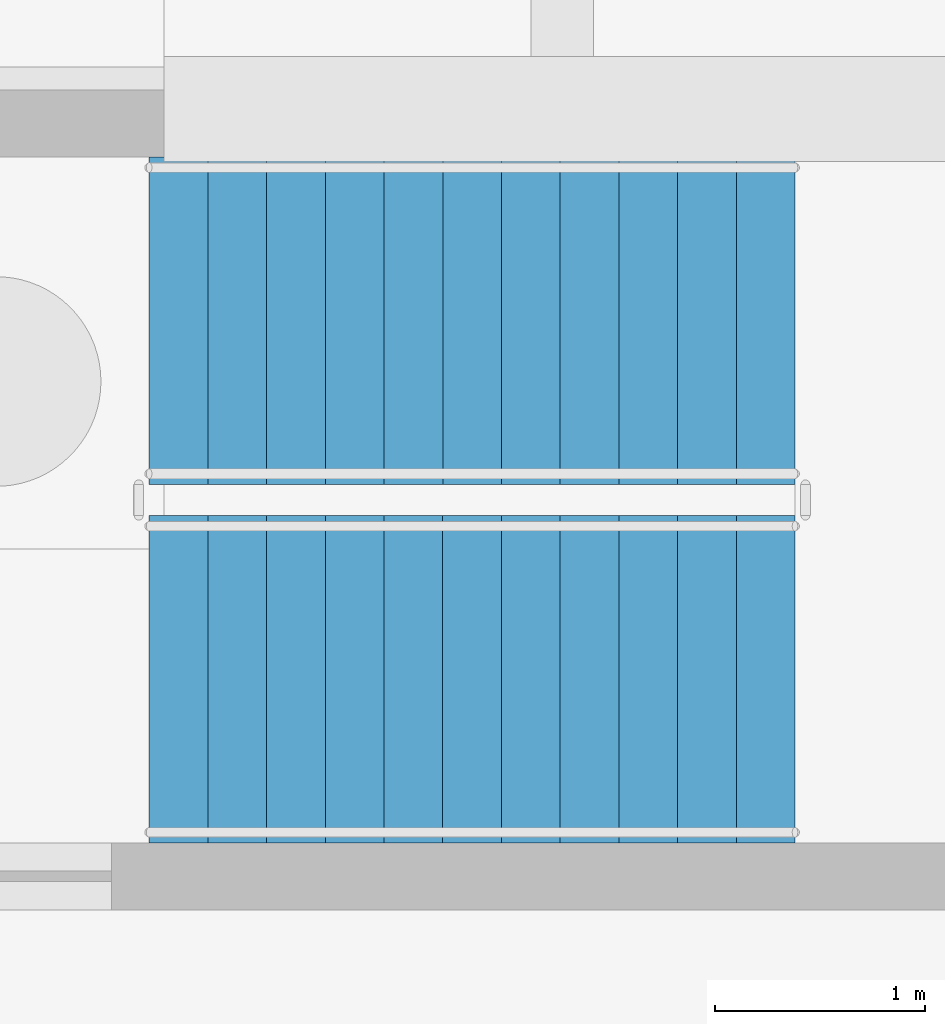
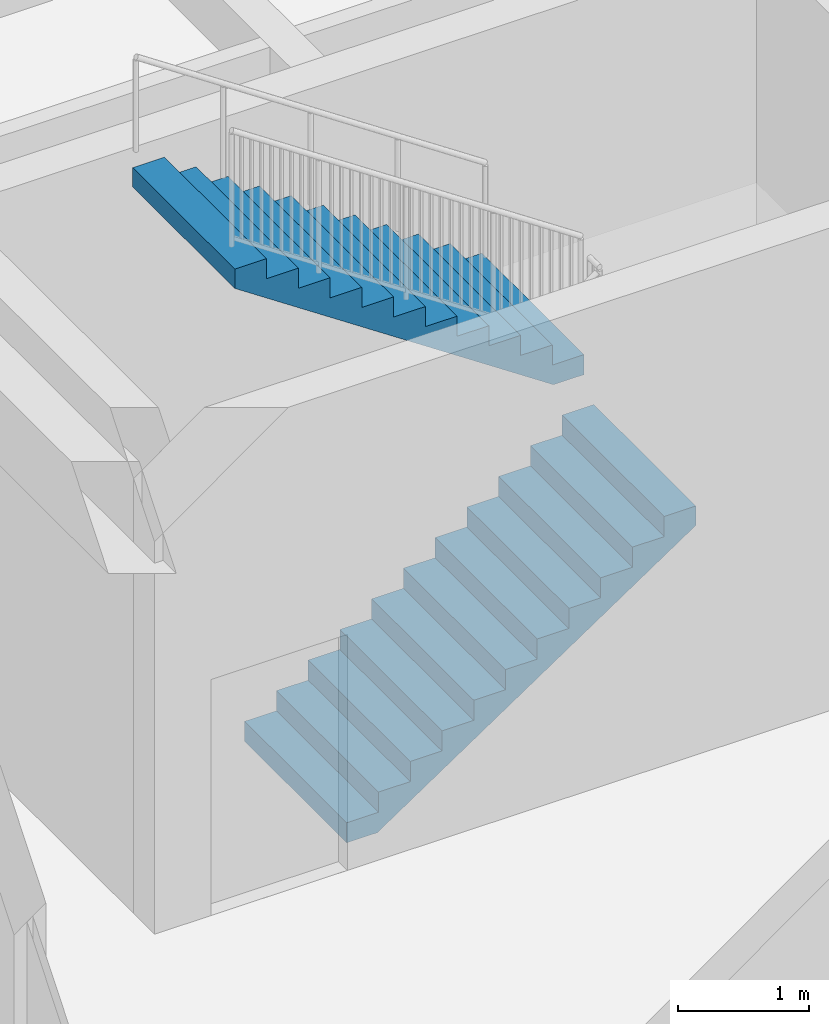
# One storey, part 43 of 49: 2 stair flights, 1 element without a shape of its own.
"""IFC4 building model written with IfcOpenShell, lengths in metres."""

from ifc_helpers import new_model, si_unit, direction, frame, origin, place, context, subcontext, project, spatial, polygons, material, type_object, element, aggregate, save


model = new_model("IFC4")

# Units and contexts
model_context = context("Model", 3, precision=1e-05, world=origin(), true_north=direction((0.0, 1.0)))
body_context = subcontext(model_context, "Body", "Model", "MODEL_VIEW")
ifc_project = project(units=[si_unit("LENGTHUNIT", "METRE"), si_unit("AREAUNIT", "SQUARE_METRE"), si_unit("VOLUMEUNIT", "CUBIC_METRE"), si_unit("PLANEANGLEUNIT", "RADIAN"), si_unit("MASSUNIT", "GRAM", prefix="KILO")], contexts=[model_context])

# Site, building, storey
site_placement = place(None, origin())
site = spatial("IfcSite", under=ifc_project, at=site_placement, CompositionType="ELEMENT")
building_placement = place(site_placement, origin())
building = spatial("IfcBuilding", under=site, at=building_placement, Name="Zantavel Square City Hall", CompositionType="ELEMENT")
storey_placement = place(building_placement, frame((0.0, 0.0, -4.5)))
storey = spatial("IfcBuildingStorey", under=building, at=storey_placement, Name="B1", CompositionType="ELEMENT", Elevation=-4.5)

# Stair, stair flights
ifc_material = material(Name="Concrete C35/45", Category="concrete")
stair_type = type_object("IfcStairType", Name="Enclosed Core Dogleg Stair B1 H4500", PredefinedType="HALF_TURN_STAIR", material=ifc_material)
stair_placement = place(storey_placement, origin())
stair = element("IfcStair", 1, at=stair_placement, inside=storey, type_object=stair_type, Name="B1 Exit Stair 1 North-West Core", PredefinedType="HALF_TURN_STAIR")
stair_flight_type = type_object("IfcStairFlightType", Name="Enclosed Core Stair Flight B1 W1560", PredefinedType="STRAIGHT", material=ifc_material)
stair_flight_1_placement = place(storey_placement, frame((50.030029296875, 80.8798828125, 0.0), z_axis=(0.0, 0.0, 1.0), x_axis=(1.0, 0.0, 0.0)))
stair_flight_1 = element("IfcStairFlight", 2, at=stair_flight_1_placement, type_object=stair_flight_type, Name="ST1 flight 1", NumberOfRisers=12, NumberOfTreads=11, PredefinedType="STRAIGHT", RiserHeight=0.1875, TreadLength=0.28, context=body_context, shape_type="Tessellation", body=[
    polygons([(0.26953125, -0.780029296875, 0.0), (3.080078125, -0.780029296875, 1.882080078125), (3.080078125, -0.780029296875, 2.0625), (2.800048828125, -0.780029296875, 2.0625), (2.800048828125, -0.780029296875, 1.875), (2.52001953125, -0.780029296875, 1.875), (2.52001953125, -0.780029296875, 1.6875), (2.239990234375, -0.780029296875, 1.6875), (2.239990234375, -0.780029296875, 1.5), (1.9599609375, -0.780029296875, 1.5), (1.9599609375, -0.780029296875, 1.3125), (1.679931640625, -0.780029296875, 1.3125), (1.679931640625, -0.780029296875, 1.125), (1.39990234375, -0.780029296875, 1.125), (1.39990234375, -0.780029296875, 0.9375), (1.1201171875, -0.780029296875, 0.9375), (1.1201171875, -0.780029296875, 0.75), (0.840087890625, -0.780029296875, 0.75), (0.840087890625, -0.780029296875, 0.5625), (0.56005859375, -0.780029296875, 0.5625), (0.56005859375, -0.780029296875, 0.375), (0.280029296875, -0.780029296875, 0.375), (0.280029296875, -0.780029296875, 0.1875), (0.0, -0.780029296875, 0.1875), (0.0, -0.780029296875, 0.0), (0.26953125, -0.5849609375, 0.0), (3.080078125, -0.5849609375, 1.882080078125), (3.080078125, -0.5849609375, 2.0625), (2.800048828125, -0.5849609375, 2.0625), (2.800048828125, -0.5849609375, 1.875), (2.52001953125, -0.5849609375, 1.875), (2.52001953125, -0.5849609375, 1.6875), (2.239990234375, -0.5849609375, 1.6875), (2.239990234375, -0.5849609375, 1.5), (1.9599609375, -0.5849609375, 1.5), (1.9599609375, -0.5849609375, 1.3125), (1.679931640625, -0.5849609375, 1.3125), (1.679931640625, -0.5849609375, 1.125), (1.39990234375, -0.5849609375, 1.125), (1.39990234375, -0.5849609375, 0.9375), (1.1201171875, -0.5849609375, 0.9375), (1.1201171875, -0.5849609375, 0.75), (0.840087890625, -0.5849609375, 0.75), (0.840087890625, -0.5849609375, 0.5625), (0.56005859375, -0.5849609375, 0.5625), (0.56005859375, -0.5849609375, 0.375), (0.280029296875, -0.5849609375, 0.375), (0.280029296875, -0.5849609375, 0.1875), (0.0, -0.5849609375, 0.1875), (0.0, -0.5849609375, 0.0), (0.26953125, -0.39013671875, 0.0), (3.080078125, -0.39013671875, 1.882080078125), (3.080078125, -0.39013671875, 2.0625), (2.800048828125, -0.39013671875, 2.0625), (2.800048828125, -0.39013671875, 1.875), (2.52001953125, -0.39013671875, 1.875), (2.52001953125, -0.39013671875, 1.6875), (2.239990234375, -0.39013671875, 1.6875), (2.239990234375, -0.39013671875, 1.5), (1.9599609375, -0.39013671875, 1.5), (1.9599609375, -0.39013671875, 1.3125), (1.679931640625, -0.39013671875, 1.3125), (1.679931640625, -0.39013671875, 1.125), (1.39990234375, -0.39013671875, 1.125), (1.39990234375, -0.39013671875, 0.9375), (1.1201171875, -0.39013671875, 0.9375), (1.1201171875, -0.39013671875, 0.75), (0.840087890625, -0.39013671875, 0.75), (0.840087890625, -0.39013671875, 0.5625), (0.56005859375, -0.39013671875, 0.5625), (0.56005859375, -0.39013671875, 0.375), (0.280029296875, -0.39013671875, 0.375), (0.280029296875, -0.39013671875, 0.1875), (0.0, -0.39013671875, 0.1875), (0.0, -0.39013671875, 0.0), (0.26953125, -0.195068359375, 0.0), (3.080078125, -0.195068359375, 1.882080078125), (3.080078125, -0.195068359375, 2.0625), (2.800048828125, -0.195068359375, 2.0625), (2.800048828125, -0.195068359375, 1.875), (2.52001953125, -0.195068359375, 1.875), (2.52001953125, -0.195068359375, 1.6875), (2.239990234375, -0.195068359375, 1.6875), (2.239990234375, -0.195068359375, 1.5), (1.9599609375, -0.195068359375, 1.5), (1.9599609375, -0.195068359375, 1.3125), (1.679931640625, -0.195068359375, 1.3125), (1.679931640625, -0.195068359375, 1.125), (1.39990234375, -0.195068359375, 1.125), (1.39990234375, -0.195068359375, 0.9375), (1.1201171875, -0.195068359375, 0.9375), (1.1201171875, -0.195068359375, 0.75), (0.840087890625, -0.195068359375, 0.75), (0.840087890625, -0.195068359375, 0.5625), (0.56005859375, -0.195068359375, 0.5625), (0.56005859375, -0.195068359375, 0.375), (0.280029296875, -0.195068359375, 0.375), (0.280029296875, -0.195068359375, 0.1875), (0.0, -0.195068359375, 0.1875), (0.0, -0.195068359375, 0.0), (0.26953125, 0.0, 0.0), (3.080078125, 0.0, 1.882080078125), (3.080078125, 0.0, 2.0625), (2.800048828125, 0.0, 2.0625), (2.800048828125, 0.0, 1.875), (2.52001953125, 0.0, 1.875), (2.52001953125, 0.0, 1.6875), (2.239990234375, 0.0, 1.6875), (2.239990234375, 0.0, 1.5), (1.9599609375, 0.0, 1.5), (1.9599609375, 0.0, 1.3125), (1.679931640625, 0.0, 1.3125), (1.679931640625, 0.0, 1.125), (1.39990234375, 0.0, 1.125), (1.39990234375, 0.0, 0.9375), (1.1201171875, 0.0, 0.9375), (1.1201171875, 0.0, 0.75), (0.840087890625, 0.0, 0.75), (0.840087890625, 0.0, 0.5625), (0.56005859375, 0.0, 0.5625), (0.56005859375, 0.0, 0.375), (0.280029296875, 0.0, 0.375), (0.280029296875, 0.0, 0.1875), (0.0, 0.0, 0.1875), (0.0, 0.0, 0.0), (0.26953125, 0.195068359375, 0.0), (3.080078125, 0.195068359375, 1.882080078125), (3.080078125, 0.195068359375, 2.0625), (2.800048828125, 0.195068359375, 2.0625), (2.800048828125, 0.195068359375, 1.875), (2.52001953125, 0.195068359375, 1.875), (2.52001953125, 0.195068359375, 1.6875), (2.239990234375, 0.195068359375, 1.6875), (2.239990234375, 0.195068359375, 1.5), (1.9599609375, 0.195068359375, 1.5), (1.9599609375, 0.195068359375, 1.3125), (1.679931640625, 0.195068359375, 1.3125), (1.679931640625, 0.195068359375, 1.125), (1.39990234375, 0.195068359375, 1.125), (1.39990234375, 0.195068359375, 0.9375), (1.1201171875, 0.195068359375, 0.9375), (1.1201171875, 0.195068359375, 0.75), (0.840087890625, 0.195068359375, 0.75), (0.840087890625, 0.195068359375, 0.5625), (0.56005859375, 0.195068359375, 0.5625), (0.56005859375, 0.195068359375, 0.375), (0.280029296875, 0.195068359375, 0.375), (0.280029296875, 0.195068359375, 0.1875), (0.0, 0.195068359375, 0.1875), (0.0, 0.195068359375, 0.0), (0.26953125, 0.39013671875, 0.0), (3.080078125, 0.39013671875, 1.882080078125), (3.080078125, 0.39013671875, 2.0625), (2.800048828125, 0.39013671875, 2.0625), (2.800048828125, 0.39013671875, 1.875), (2.52001953125, 0.39013671875, 1.875), (2.52001953125, 0.39013671875, 1.6875), (2.239990234375, 0.39013671875, 1.6875), (2.239990234375, 0.39013671875, 1.5), (1.9599609375, 0.39013671875, 1.5), (1.9599609375, 0.39013671875, 1.3125), (1.679931640625, 0.39013671875, 1.3125), (1.679931640625, 0.39013671875, 1.125), (1.39990234375, 0.39013671875, 1.125), (1.39990234375, 0.39013671875, 0.9375), (1.1201171875, 0.39013671875, 0.9375), (1.1201171875, 0.39013671875, 0.75), (0.840087890625, 0.39013671875, 0.75), (0.840087890625, 0.39013671875, 0.5625), (0.56005859375, 0.39013671875, 0.5625), (0.56005859375, 0.39013671875, 0.375), (0.280029296875, 0.39013671875, 0.375), (0.280029296875, 0.39013671875, 0.1875), (0.0, 0.39013671875, 0.1875), (0.0, 0.39013671875, 0.0), (0.26953125, 0.5849609375, 0.0), (3.080078125, 0.5849609375, 1.882080078125), (3.080078125, 0.5849609375, 2.0625), (2.800048828125, 0.5849609375, 2.0625), (2.800048828125, 0.5849609375, 1.875), (2.52001953125, 0.5849609375, 1.875), (2.52001953125, 0.5849609375, 1.6875), (2.239990234375, 0.5849609375, 1.6875), (2.239990234375, 0.5849609375, 1.5), (1.9599609375, 0.5849609375, 1.5), (1.9599609375, 0.5849609375, 1.3125), (1.679931640625, 0.5849609375, 1.3125), (1.679931640625, 0.5849609375, 1.125), (1.39990234375, 0.5849609375, 1.125), (1.39990234375, 0.5849609375, 0.9375), (1.1201171875, 0.5849609375, 0.9375), (1.1201171875, 0.5849609375, 0.75), (0.840087890625, 0.5849609375, 0.75), (0.840087890625, 0.5849609375, 0.5625), (0.56005859375, 0.5849609375, 0.5625), (0.56005859375, 0.5849609375, 0.375), (0.280029296875, 0.5849609375, 0.375), (0.280029296875, 0.5849609375, 0.1875), (0.0, 0.5849609375, 0.1875), (0.0, 0.5849609375, 0.0), (0.26953125, 0.780029296875, 0.0), (3.080078125, 0.780029296875, 1.882080078125), (3.080078125, 0.780029296875, 2.0625), (2.800048828125, 0.780029296875, 2.0625), (2.800048828125, 0.780029296875, 1.875), (2.52001953125, 0.780029296875, 1.875), (2.52001953125, 0.780029296875, 1.6875), (2.239990234375, 0.780029296875, 1.6875), (2.239990234375, 0.780029296875, 1.5), (1.9599609375, 0.780029296875, 1.5), (1.9599609375, 0.780029296875, 1.3125), (1.679931640625, 0.780029296875, 1.3125), (1.679931640625, 0.780029296875, 1.125), (1.39990234375, 0.780029296875, 1.125), (1.39990234375, 0.780029296875, 0.9375), (1.1201171875, 0.780029296875, 0.9375), (1.1201171875, 0.780029296875, 0.75), (0.840087890625, 0.780029296875, 0.75), (0.840087890625, 0.780029296875, 0.5625), (0.56005859375, 0.780029296875, 0.5625), (0.56005859375, 0.780029296875, 0.375), (0.280029296875, 0.780029296875, 0.375), (0.280029296875, 0.780029296875, 0.1875), (0.0, 0.780029296875, 0.1875), (0.0, 0.780029296875, 0.0)], [[[1, 2, 3, 4, 5, 6, 7, 8, 9, 10, 11, 12, 13, 14, 15, 16, 17, 18, 19, 20, 21, 22, 23, 24, 25]], [[225, 224, 223, 222, 221, 220, 219, 218, 217, 216, 215, 214, 213, 212, 211, 210, 209, 208, 207, 206, 205, 204, 203, 202, 201]], [[1, 26, 27]], [[1, 27, 2]], [[2, 27, 28]], [[2, 28, 3]], [[3, 28, 29]], [[3, 29, 4]], [[4, 29, 30]], [[4, 30, 5]], [[5, 30, 31]], [[5, 31, 6]], [[6, 31, 32]], [[6, 32, 7]], [[7, 32, 33]], [[7, 33, 8]], [[8, 33, 34]], [[8, 34, 9]], [[9, 34, 35]], [[9, 35, 10]], [[10, 35, 36]], [[10, 36, 11]], [[11, 36, 37]], [[11, 37, 12]], [[12, 37, 38]], [[12, 38, 13]], [[13, 38, 39]], [[13, 39, 14]], [[14, 39, 40]], [[14, 40, 15]], [[15, 40, 41]], [[15, 41, 16]], [[16, 41, 42]], [[16, 42, 17]], [[17, 42, 43]], [[17, 43, 18]], [[18, 43, 44]], [[18, 44, 19]], [[19, 44, 45]], [[19, 45, 20]], [[20, 45, 46]], [[20, 46, 21]], [[21, 46, 47]], [[21, 47, 22]], [[22, 47, 48]], [[22, 48, 23]], [[23, 48, 49]], [[23, 49, 24]], [[24, 49, 50]], [[24, 50, 25]], [[25, 50, 26]], [[25, 26, 1]], [[26, 51, 52]], [[26, 52, 27]], [[27, 52, 53]], [[27, 53, 28]], [[28, 53, 54]], [[28, 54, 29]], [[29, 54, 55]], [[29, 55, 30]], [[30, 55, 56]], [[30, 56, 31]], [[31, 56, 57]], [[31, 57, 32]], [[32, 57, 58]], [[32, 58, 33]], [[33, 58, 59]], [[33, 59, 34]], [[34, 59, 60]], [[34, 60, 35]], [[35, 60, 61]], [[35, 61, 36]], [[36, 61, 62]], [[36, 62, 37]], [[37, 62, 63]], [[37, 63, 38]], [[38, 63, 64]], [[38, 64, 39]], [[39, 64, 65]], [[39, 65, 40]], [[40, 65, 66]], [[40, 66, 41]], [[41, 66, 67]], [[41, 67, 42]], [[42, 67, 68]], [[42, 68, 43]], [[43, 68, 69]], [[43, 69, 44]], [[44, 69, 70]], [[44, 70, 45]], [[45, 70, 71]], [[45, 71, 46]], [[46, 71, 72]], [[46, 72, 47]], [[47, 72, 73]], [[47, 73, 48]], [[48, 73, 74]], [[48, 74, 49]], [[49, 74, 75]], [[49, 75, 50]], [[50, 75, 51]], [[50, 51, 26]], [[51, 76, 77]], [[51, 77, 52]], [[52, 77, 78]], [[52, 78, 53]], [[53, 78, 79]], [[53, 79, 54]], [[54, 79, 80]], [[54, 80, 55]], [[55, 80, 81]], [[55, 81, 56]], [[56, 81, 82]], [[56, 82, 57]], [[57, 82, 83]], [[57, 83, 58]], [[58, 83, 84]], [[58, 84, 59]], [[59, 84, 85]], [[59, 85, 60]], [[60, 85, 86]], [[60, 86, 61]], [[61, 86, 87]], [[61, 87, 62]], [[62, 87, 88]], [[62, 88, 63]], [[63, 88, 89]], [[63, 89, 64]], [[64, 89, 90]], [[64, 90, 65]], [[65, 90, 91]], [[65, 91, 66]], [[66, 91, 92]], [[66, 92, 67]], [[67, 92, 93]], [[67, 93, 68]], [[68, 93, 94]], [[68, 94, 69]], [[69, 94, 95]], [[69, 95, 70]], [[70, 95, 96]], [[70, 96, 71]], [[71, 96, 97]], [[71, 97, 72]], [[72, 97, 98]], [[72, 98, 73]], [[73, 98, 99]], [[73, 99, 74]], [[74, 99, 100]], [[74, 100, 75]], [[75, 100, 76]], [[75, 76, 51]], [[76, 101, 102]], [[76, 102, 77]], [[77, 102, 103]], [[77, 103, 78]], [[78, 103, 104]], [[78, 104, 79]], [[79, 104, 105]], [[79, 105, 80]], [[80, 105, 106]], [[80, 106, 81]], [[81, 106, 107]], [[81, 107, 82]], [[82, 107, 108]], [[82, 108, 83]], [[83, 108, 109]], [[83, 109, 84]], [[84, 109, 110]], [[84, 110, 85]], [[85, 110, 111]], [[85, 111, 86]], [[86, 111, 112]], [[86, 112, 87]], [[87, 112, 113]], [[87, 113, 88]], [[88, 113, 114]], [[88, 114, 89]], [[89, 114, 115]], [[89, 115, 90]], [[90, 115, 116]], [[90, 116, 91]], [[91, 116, 117]], [[91, 117, 92]], [[92, 117, 118]], [[92, 118, 93]], [[93, 118, 119]], [[93, 119, 94]], [[94, 119, 120]], [[94, 120, 95]], [[95, 120, 121]], [[95, 121, 96]], [[96, 121, 122]], [[96, 122, 97]], [[97, 122, 123]], [[97, 123, 98]], [[98, 123, 124]], [[98, 124, 99]], [[99, 124, 125]], [[99, 125, 100]], [[100, 125, 101]], [[100, 101, 76]], [[101, 126, 102]], [[126, 127, 102]], [[102, 127, 103]], [[127, 128, 103]], [[103, 128, 104]], [[128, 129, 104]], [[104, 129, 105]], [[129, 130, 105]], [[105, 130, 106]], [[130, 131, 106]], [[106, 131, 107]], [[131, 132, 107]], [[107, 132, 108]], [[132, 133, 108]], [[108, 133, 109]], [[133, 134, 109]], [[109, 134, 110]], [[134, 135, 110]], [[110, 135, 111]], [[135, 136, 111]], [[111, 136, 112]], [[136, 137, 112]], [[112, 137, 113]], [[137, 138, 113]], [[113, 138, 114]], [[138, 139, 114]], [[114, 139, 115]], [[139, 140, 115]], [[115, 140, 116]], [[140, 141, 116]], [[116, 141, 117]], [[141, 142, 117]], [[117, 142, 118]], [[142, 143, 118]], [[118, 143, 119]], [[143, 144, 119]], [[119, 144, 120]], [[144, 145, 120]], [[120, 145, 121]], [[145, 146, 121]], [[121, 146, 122]], [[146, 147, 122]], [[122, 147, 123]], [[147, 148, 123]], [[123, 148, 124]], [[148, 149, 124]], [[124, 149, 125]], [[149, 150, 125]], [[125, 150, 101]], [[150, 126, 101]], [[126, 151, 127]], [[151, 152, 127]], [[127, 152, 128]], [[152, 153, 128]], [[128, 153, 129]], [[153, 154, 129]], [[129, 154, 130]], [[154, 155, 130]], [[130, 155, 131]], [[155, 156, 131]], [[131, 156, 132]], [[156, 157, 132]], [[132, 157, 133]], [[157, 158, 133]], [[133, 158, 134]], [[158, 159, 134]], [[134, 159, 135]], [[159, 160, 135]], [[135, 160, 136]], [[160, 161, 136]], [[136, 161, 137]], [[161, 162, 137]], [[137, 162, 138]], [[162, 163, 138]], [[138, 163, 139]], [[163, 164, 139]], [[139, 164, 140]], [[164, 165, 140]], [[140, 165, 141]], [[165, 166, 141]], [[141, 166, 142]], [[166, 167, 142]], [[142, 167, 143]], [[167, 168, 143]], [[143, 168, 144]], [[168, 169, 144]], [[144, 169, 145]], [[169, 170, 145]], [[145, 170, 146]], [[170, 171, 146]], [[146, 171, 147]], [[171, 172, 147]], [[147, 172, 148]], [[172, 173, 148]], [[148, 173, 149]], [[173, 174, 149]], [[149, 174, 150]], [[174, 175, 150]], [[150, 175, 126]], [[175, 151, 126]], [[151, 176, 152]], [[176, 177, 152]], [[152, 177, 153]], [[177, 178, 153]], [[153, 178, 154]], [[178, 179, 154]], [[154, 179, 155]], [[179, 180, 155]], [[155, 180, 156]], [[180, 181, 156]], [[156, 181, 157]], [[181, 182, 157]], [[157, 182, 158]], [[182, 183, 158]], [[158, 183, 159]], [[183, 184, 159]], [[159, 184, 160]], [[184, 185, 160]], [[160, 185, 161]], [[185, 186, 161]], [[161, 186, 162]], [[186, 187, 162]], [[162, 187, 163]], [[187, 188, 163]], [[163, 188, 164]], [[188, 189, 164]], [[164, 189, 165]], [[189, 190, 165]], [[165, 190, 166]], [[190, 191, 166]], [[166, 191, 167]], [[191, 192, 167]], [[167, 192, 168]], [[192, 193, 168]], [[168, 193, 169]], [[193, 194, 169]], [[169, 194, 170]], [[194, 195, 170]], [[170, 195, 171]], [[195, 196, 171]], [[171, 196, 172]], [[196, 197, 172]], [[172, 197, 173]], [[197, 198, 173]], [[173, 198, 174]], [[198, 199, 174]], [[174, 199, 175]], [[199, 200, 175]], [[175, 200, 151]], [[200, 176, 151]], [[176, 201, 177]], [[201, 202, 177]], [[177, 202, 178]], [[202, 203, 178]], [[178, 203, 179]], [[203, 204, 179]], [[179, 204, 180]], [[204, 205, 180]], [[180, 205, 181]], [[205, 206, 181]], [[181, 206, 182]], [[206, 207, 182]], [[182, 207, 183]], [[207, 208, 183]], [[183, 208, 184]], [[208, 209, 184]], [[184, 209, 185]], [[209, 210, 185]], [[185, 210, 186]], [[210, 211, 186]], [[186, 211, 187]], [[211, 212, 187]], [[187, 212, 188]], [[212, 213, 188]], [[188, 213, 189]], [[213, 214, 189]], [[189, 214, 190]], [[214, 215, 190]], [[190, 215, 191]], [[215, 216, 191]], [[191, 216, 192]], [[216, 217, 192]], [[192, 217, 193]], [[217, 218, 193]], [[193, 218, 194]], [[218, 219, 194]], [[194, 219, 195]], [[219, 220, 195]], [[195, 220, 196]], [[220, 221, 196]], [[196, 221, 197]], [[221, 222, 197]], [[197, 222, 198]], [[222, 223, 198]], [[198, 223, 199]], [[223, 224, 199]], [[199, 224, 200]], [[224, 225, 200]], [[200, 225, 176]], [[225, 201, 176]]], closed=True),
])
stair_flight_2_placement = place(storey_placement, frame((53.110107421875, 82.590087890625, 2.25), z_axis=(0.0, 0.0, 1.0), x_axis=(-1.0, 0.0, 0.0)))
stair_flight_2 = element("IfcStairFlight", 3, at=stair_flight_2_placement, type_object=stair_flight_type, Name="ST1 flight 2", NumberOfRisers=12, NumberOfTreads=11, PredefinedType="STRAIGHT", RiserHeight=0.1875, TreadLength=0.28, context=body_context, shape_type="Tessellation", body=[
    polygons([(0.26953125, -0.780029296875, 0.0), (3.080078125, -0.780029296875, 1.882080078125), (3.080078125, -0.780029296875, 2.0625), (2.800048828125, -0.780029296875, 2.0625), (2.800048828125, -0.780029296875, 1.875), (2.52001953125, -0.780029296875, 1.875), (2.52001953125, -0.780029296875, 1.6875), (2.239990234375, -0.780029296875, 1.6875), (2.239990234375, -0.780029296875, 1.5), (1.9599609375, -0.780029296875, 1.5), (1.9599609375, -0.780029296875, 1.3125), (1.679931640625, -0.780029296875, 1.3125), (1.679931640625, -0.780029296875, 1.125), (1.39990234375, -0.780029296875, 1.125), (1.39990234375, -0.780029296875, 0.9375), (1.1201171875, -0.780029296875, 0.9375), (1.1201171875, -0.780029296875, 0.75), (0.840087890625, -0.780029296875, 0.75), (0.840087890625, -0.780029296875, 0.5625), (0.56005859375, -0.780029296875, 0.5625), (0.56005859375, -0.780029296875, 0.375), (0.280029296875, -0.780029296875, 0.375), (0.280029296875, -0.780029296875, 0.1875), (0.0, -0.780029296875, 0.1875), (0.0, -0.780029296875, 0.0), (0.26953125, -0.5849609375, 0.0), (3.080078125, -0.5849609375, 1.882080078125), (3.080078125, -0.5849609375, 2.0625), (2.800048828125, -0.5849609375, 2.0625), (2.800048828125, -0.5849609375, 1.875), (2.52001953125, -0.5849609375, 1.875), (2.52001953125, -0.5849609375, 1.6875), (2.239990234375, -0.5849609375, 1.6875), (2.239990234375, -0.5849609375, 1.5), (1.9599609375, -0.5849609375, 1.5), (1.9599609375, -0.5849609375, 1.3125), (1.679931640625, -0.5849609375, 1.3125), (1.679931640625, -0.5849609375, 1.125), (1.39990234375, -0.5849609375, 1.125), (1.39990234375, -0.5849609375, 0.9375), (1.1201171875, -0.5849609375, 0.9375), (1.1201171875, -0.5849609375, 0.75), (0.840087890625, -0.5849609375, 0.75), (0.840087890625, -0.5849609375, 0.5625), (0.56005859375, -0.5849609375, 0.5625), (0.56005859375, -0.5849609375, 0.375), (0.280029296875, -0.5849609375, 0.375), (0.280029296875, -0.5849609375, 0.1875), (0.0, -0.5849609375, 0.1875), (0.0, -0.5849609375, 0.0), (0.26953125, -0.39013671875, 0.0), (3.080078125, -0.39013671875, 1.882080078125), (3.080078125, -0.39013671875, 2.0625), (2.800048828125, -0.39013671875, 2.0625), (2.800048828125, -0.39013671875, 1.875), (2.52001953125, -0.39013671875, 1.875), (2.52001953125, -0.39013671875, 1.6875), (2.239990234375, -0.39013671875, 1.6875), (2.239990234375, -0.39013671875, 1.5), (1.9599609375, -0.39013671875, 1.5), (1.9599609375, -0.39013671875, 1.3125), (1.679931640625, -0.39013671875, 1.3125), (1.679931640625, -0.39013671875, 1.125), (1.39990234375, -0.39013671875, 1.125), (1.39990234375, -0.39013671875, 0.9375), (1.1201171875, -0.39013671875, 0.9375), (1.1201171875, -0.39013671875, 0.75), (0.840087890625, -0.39013671875, 0.75), (0.840087890625, -0.39013671875, 0.5625), (0.56005859375, -0.39013671875, 0.5625), (0.56005859375, -0.39013671875, 0.375), (0.280029296875, -0.39013671875, 0.375), (0.280029296875, -0.39013671875, 0.1875), (0.0, -0.39013671875, 0.1875), (0.0, -0.39013671875, 0.0), (0.26953125, -0.195068359375, 0.0), (3.080078125, -0.195068359375, 1.882080078125), (3.080078125, -0.195068359375, 2.0625), (2.800048828125, -0.195068359375, 2.0625), (2.800048828125, -0.195068359375, 1.875), (2.52001953125, -0.195068359375, 1.875), (2.52001953125, -0.195068359375, 1.6875), (2.239990234375, -0.195068359375, 1.6875), (2.239990234375, -0.195068359375, 1.5), (1.9599609375, -0.195068359375, 1.5), (1.9599609375, -0.195068359375, 1.3125), (1.679931640625, -0.195068359375, 1.3125), (1.679931640625, -0.195068359375, 1.125), (1.39990234375, -0.195068359375, 1.125), (1.39990234375, -0.195068359375, 0.9375), (1.1201171875, -0.195068359375, 0.9375), (1.1201171875, -0.195068359375, 0.75), (0.840087890625, -0.195068359375, 0.75), (0.840087890625, -0.195068359375, 0.5625), (0.56005859375, -0.195068359375, 0.5625), (0.56005859375, -0.195068359375, 0.375), (0.280029296875, -0.195068359375, 0.375), (0.280029296875, -0.195068359375, 0.1875), (0.0, -0.195068359375, 0.1875), (0.0, -0.195068359375, 0.0), (0.26953125, 0.0, 0.0), (3.080078125, 0.0, 1.882080078125), (3.080078125, 0.0, 2.0625), (2.800048828125, 0.0, 2.0625), (2.800048828125, 0.0, 1.875), (2.52001953125, 0.0, 1.875), (2.52001953125, 0.0, 1.6875), (2.239990234375, 0.0, 1.6875), (2.239990234375, 0.0, 1.5), (1.9599609375, 0.0, 1.5), (1.9599609375, 0.0, 1.3125), (1.679931640625, 0.0, 1.3125), (1.679931640625, 0.0, 1.125), (1.39990234375, 0.0, 1.125), (1.39990234375, 0.0, 0.9375), (1.1201171875, 0.0, 0.9375), (1.1201171875, 0.0, 0.75), (0.840087890625, 0.0, 0.75), (0.840087890625, 0.0, 0.5625), (0.56005859375, 0.0, 0.5625), (0.56005859375, 0.0, 0.375), (0.280029296875, 0.0, 0.375), (0.280029296875, 0.0, 0.1875), (0.0, 0.0, 0.1875), (0.0, 0.0, 0.0), (0.26953125, 0.195068359375, 0.0), (3.080078125, 0.195068359375, 1.882080078125), (3.080078125, 0.195068359375, 2.0625), (2.800048828125, 0.195068359375, 2.0625), (2.800048828125, 0.195068359375, 1.875), (2.52001953125, 0.195068359375, 1.875), (2.52001953125, 0.195068359375, 1.6875), (2.239990234375, 0.195068359375, 1.6875), (2.239990234375, 0.195068359375, 1.5), (1.9599609375, 0.195068359375, 1.5), (1.9599609375, 0.195068359375, 1.3125), (1.679931640625, 0.195068359375, 1.3125), (1.679931640625, 0.195068359375, 1.125), (1.39990234375, 0.195068359375, 1.125), (1.39990234375, 0.195068359375, 0.9375), (1.1201171875, 0.195068359375, 0.9375), (1.1201171875, 0.195068359375, 0.75), (0.840087890625, 0.195068359375, 0.75), (0.840087890625, 0.195068359375, 0.5625), (0.56005859375, 0.195068359375, 0.5625), (0.56005859375, 0.195068359375, 0.375), (0.280029296875, 0.195068359375, 0.375), (0.280029296875, 0.195068359375, 0.1875), (0.0, 0.195068359375, 0.1875), (0.0, 0.195068359375, 0.0), (0.26953125, 0.39013671875, 0.0), (3.080078125, 0.39013671875, 1.882080078125), (3.080078125, 0.39013671875, 2.0625), (2.800048828125, 0.39013671875, 2.0625), (2.800048828125, 0.39013671875, 1.875), (2.52001953125, 0.39013671875, 1.875), (2.52001953125, 0.39013671875, 1.6875), (2.239990234375, 0.39013671875, 1.6875), (2.239990234375, 0.39013671875, 1.5), (1.9599609375, 0.39013671875, 1.5), (1.9599609375, 0.39013671875, 1.3125), (1.679931640625, 0.39013671875, 1.3125), (1.679931640625, 0.39013671875, 1.125), (1.39990234375, 0.39013671875, 1.125), (1.39990234375, 0.39013671875, 0.9375), (1.1201171875, 0.39013671875, 0.9375), (1.1201171875, 0.39013671875, 0.75), (0.840087890625, 0.39013671875, 0.75), (0.840087890625, 0.39013671875, 0.5625), (0.56005859375, 0.39013671875, 0.5625), (0.56005859375, 0.39013671875, 0.375), (0.280029296875, 0.39013671875, 0.375), (0.280029296875, 0.39013671875, 0.1875), (0.0, 0.39013671875, 0.1875), (0.0, 0.39013671875, 0.0), (0.26953125, 0.5849609375, 0.0), (3.080078125, 0.5849609375, 1.882080078125), (3.080078125, 0.5849609375, 2.0625), (2.800048828125, 0.5849609375, 2.0625), (2.800048828125, 0.5849609375, 1.875), (2.52001953125, 0.5849609375, 1.875), (2.52001953125, 0.5849609375, 1.6875), (2.239990234375, 0.5849609375, 1.6875), (2.239990234375, 0.5849609375, 1.5), (1.9599609375, 0.5849609375, 1.5), (1.9599609375, 0.5849609375, 1.3125), (1.679931640625, 0.5849609375, 1.3125), (1.679931640625, 0.5849609375, 1.125), (1.39990234375, 0.5849609375, 1.125), (1.39990234375, 0.5849609375, 0.9375), (1.1201171875, 0.5849609375, 0.9375), (1.1201171875, 0.5849609375, 0.75), (0.840087890625, 0.5849609375, 0.75), (0.840087890625, 0.5849609375, 0.5625), (0.56005859375, 0.5849609375, 0.5625), (0.56005859375, 0.5849609375, 0.375), (0.280029296875, 0.5849609375, 0.375), (0.280029296875, 0.5849609375, 0.1875), (0.0, 0.5849609375, 0.1875), (0.0, 0.5849609375, 0.0), (0.26953125, 0.780029296875, 0.0), (3.080078125, 0.780029296875, 1.882080078125), (3.080078125, 0.780029296875, 2.0625), (2.800048828125, 0.780029296875, 2.0625), (2.800048828125, 0.780029296875, 1.875), (2.52001953125, 0.780029296875, 1.875), (2.52001953125, 0.780029296875, 1.6875), (2.239990234375, 0.780029296875, 1.6875), (2.239990234375, 0.780029296875, 1.5), (1.9599609375, 0.780029296875, 1.5), (1.9599609375, 0.780029296875, 1.3125), (1.679931640625, 0.780029296875, 1.3125), (1.679931640625, 0.780029296875, 1.125), (1.39990234375, 0.780029296875, 1.125), (1.39990234375, 0.780029296875, 0.9375), (1.1201171875, 0.780029296875, 0.9375), (1.1201171875, 0.780029296875, 0.75), (0.840087890625, 0.780029296875, 0.75), (0.840087890625, 0.780029296875, 0.5625), (0.56005859375, 0.780029296875, 0.5625), (0.56005859375, 0.780029296875, 0.375), (0.280029296875, 0.780029296875, 0.375), (0.280029296875, 0.780029296875, 0.1875), (0.0, 0.780029296875, 0.1875), (0.0, 0.780029296875, 0.0)], [[[1, 2, 3, 4, 5, 6, 7, 8, 9, 10, 11, 12, 13, 14, 15, 16, 17, 18, 19, 20, 21, 22, 23, 24, 25]], [[225, 224, 223, 222, 221, 220, 219, 218, 217, 216, 215, 214, 213, 212, 211, 210, 209, 208, 207, 206, 205, 204, 203, 202, 201]], [[1, 26, 27]], [[1, 27, 2]], [[2, 27, 28]], [[2, 28, 3]], [[3, 28, 29]], [[3, 29, 4]], [[4, 29, 30]], [[4, 30, 5]], [[5, 30, 31]], [[5, 31, 6]], [[6, 31, 32]], [[6, 32, 7]], [[7, 32, 33]], [[7, 33, 8]], [[8, 33, 34]], [[8, 34, 9]], [[9, 34, 35]], [[9, 35, 10]], [[10, 35, 36]], [[10, 36, 11]], [[11, 36, 37]], [[11, 37, 12]], [[12, 37, 38]], [[12, 38, 13]], [[13, 38, 39]], [[13, 39, 14]], [[14, 39, 40]], [[14, 40, 15]], [[15, 40, 41]], [[15, 41, 16]], [[16, 41, 42]], [[16, 42, 17]], [[17, 42, 43]], [[17, 43, 18]], [[18, 43, 44]], [[18, 44, 19]], [[19, 44, 45]], [[19, 45, 20]], [[20, 45, 46]], [[20, 46, 21]], [[21, 46, 47]], [[21, 47, 22]], [[22, 47, 48]], [[22, 48, 23]], [[23, 48, 49]], [[23, 49, 24]], [[24, 49, 50]], [[24, 50, 25]], [[25, 50, 26]], [[25, 26, 1]], [[26, 51, 52]], [[26, 52, 27]], [[27, 52, 53]], [[27, 53, 28]], [[28, 53, 54]], [[28, 54, 29]], [[29, 54, 55]], [[29, 55, 30]], [[30, 55, 56]], [[30, 56, 31]], [[31, 56, 57]], [[31, 57, 32]], [[32, 57, 58]], [[32, 58, 33]], [[33, 58, 59]], [[33, 59, 34]], [[34, 59, 60]], [[34, 60, 35]], [[35, 60, 61]], [[35, 61, 36]], [[36, 61, 62]], [[36, 62, 37]], [[37, 62, 63]], [[37, 63, 38]], [[38, 63, 64]], [[38, 64, 39]], [[39, 64, 65]], [[39, 65, 40]], [[40, 65, 66]], [[40, 66, 41]], [[41, 66, 67]], [[41, 67, 42]], [[42, 67, 68]], [[42, 68, 43]], [[43, 68, 69]], [[43, 69, 44]], [[44, 69, 70]], [[44, 70, 45]], [[45, 70, 71]], [[45, 71, 46]], [[46, 71, 72]], [[46, 72, 47]], [[47, 72, 73]], [[47, 73, 48]], [[48, 73, 74]], [[48, 74, 49]], [[49, 74, 75]], [[49, 75, 50]], [[50, 75, 51]], [[50, 51, 26]], [[51, 76, 77]], [[51, 77, 52]], [[52, 77, 78]], [[52, 78, 53]], [[53, 78, 79]], [[53, 79, 54]], [[54, 79, 80]], [[54, 80, 55]], [[55, 80, 81]], [[55, 81, 56]], [[56, 81, 82]], [[56, 82, 57]], [[57, 82, 83]], [[57, 83, 58]], [[58, 83, 84]], [[58, 84, 59]], [[59, 84, 85]], [[59, 85, 60]], [[60, 85, 86]], [[60, 86, 61]], [[61, 86, 87]], [[61, 87, 62]], [[62, 87, 88]], [[62, 88, 63]], [[63, 88, 89]], [[63, 89, 64]], [[64, 89, 90]], [[64, 90, 65]], [[65, 90, 91]], [[65, 91, 66]], [[66, 91, 92]], [[66, 92, 67]], [[67, 92, 93]], [[67, 93, 68]], [[68, 93, 94]], [[68, 94, 69]], [[69, 94, 95]], [[69, 95, 70]], [[70, 95, 96]], [[70, 96, 71]], [[71, 96, 97]], [[71, 97, 72]], [[72, 97, 98]], [[72, 98, 73]], [[73, 98, 99]], [[73, 99, 74]], [[74, 99, 100]], [[74, 100, 75]], [[75, 100, 76]], [[75, 76, 51]], [[76, 101, 102]], [[76, 102, 77]], [[77, 102, 103]], [[77, 103, 78]], [[78, 103, 104]], [[78, 104, 79]], [[79, 104, 105]], [[79, 105, 80]], [[80, 105, 106]], [[80, 106, 81]], [[81, 106, 107]], [[81, 107, 82]], [[82, 107, 108]], [[82, 108, 83]], [[83, 108, 109]], [[83, 109, 84]], [[84, 109, 110]], [[84, 110, 85]], [[85, 110, 111]], [[85, 111, 86]], [[86, 111, 112]], [[86, 112, 87]], [[87, 112, 113]], [[87, 113, 88]], [[88, 113, 114]], [[88, 114, 89]], [[89, 114, 115]], [[89, 115, 90]], [[90, 115, 116]], [[90, 116, 91]], [[91, 116, 117]], [[91, 117, 92]], [[92, 117, 118]], [[92, 118, 93]], [[93, 118, 119]], [[93, 119, 94]], [[94, 119, 120]], [[94, 120, 95]], [[95, 120, 121]], [[95, 121, 96]], [[96, 121, 122]], [[96, 122, 97]], [[97, 122, 123]], [[97, 123, 98]], [[98, 123, 124]], [[98, 124, 99]], [[99, 124, 125]], [[99, 125, 100]], [[100, 125, 101]], [[100, 101, 76]], [[101, 126, 102]], [[126, 127, 102]], [[102, 127, 103]], [[127, 128, 103]], [[103, 128, 104]], [[128, 129, 104]], [[104, 129, 105]], [[129, 130, 105]], [[105, 130, 106]], [[130, 131, 106]], [[106, 131, 107]], [[131, 132, 107]], [[107, 132, 108]], [[132, 133, 108]], [[108, 133, 109]], [[133, 134, 109]], [[109, 134, 110]], [[134, 135, 110]], [[110, 135, 111]], [[135, 136, 111]], [[111, 136, 112]], [[136, 137, 112]], [[112, 137, 113]], [[137, 138, 113]], [[113, 138, 114]], [[138, 139, 114]], [[114, 139, 115]], [[139, 140, 115]], [[115, 140, 116]], [[140, 141, 116]], [[116, 141, 117]], [[141, 142, 117]], [[117, 142, 118]], [[142, 143, 118]], [[118, 143, 119]], [[143, 144, 119]], [[119, 144, 120]], [[144, 145, 120]], [[120, 145, 121]], [[145, 146, 121]], [[121, 146, 122]], [[146, 147, 122]], [[122, 147, 123]], [[147, 148, 123]], [[123, 148, 124]], [[148, 149, 124]], [[124, 149, 125]], [[149, 150, 125]], [[125, 150, 101]], [[150, 126, 101]], [[126, 151, 127]], [[151, 152, 127]], [[127, 152, 128]], [[152, 153, 128]], [[128, 153, 129]], [[153, 154, 129]], [[129, 154, 130]], [[154, 155, 130]], [[130, 155, 131]], [[155, 156, 131]], [[131, 156, 132]], [[156, 157, 132]], [[132, 157, 133]], [[157, 158, 133]], [[133, 158, 134]], [[158, 159, 134]], [[134, 159, 135]], [[159, 160, 135]], [[135, 160, 136]], [[160, 161, 136]], [[136, 161, 137]], [[161, 162, 137]], [[137, 162, 138]], [[162, 163, 138]], [[138, 163, 139]], [[163, 164, 139]], [[139, 164, 140]], [[164, 165, 140]], [[140, 165, 141]], [[165, 166, 141]], [[141, 166, 142]], [[166, 167, 142]], [[142, 167, 143]], [[167, 168, 143]], [[143, 168, 144]], [[168, 169, 144]], [[144, 169, 145]], [[169, 170, 145]], [[145, 170, 146]], [[170, 171, 146]], [[146, 171, 147]], [[171, 172, 147]], [[147, 172, 148]], [[172, 173, 148]], [[148, 173, 149]], [[173, 174, 149]], [[149, 174, 150]], [[174, 175, 150]], [[150, 175, 126]], [[175, 151, 126]], [[151, 176, 152]], [[176, 177, 152]], [[152, 177, 153]], [[177, 178, 153]], [[153, 178, 154]], [[178, 179, 154]], [[154, 179, 155]], [[179, 180, 155]], [[155, 180, 156]], [[180, 181, 156]], [[156, 181, 157]], [[181, 182, 157]], [[157, 182, 158]], [[182, 183, 158]], [[158, 183, 159]], [[183, 184, 159]], [[159, 184, 160]], [[184, 185, 160]], [[160, 185, 161]], [[185, 186, 161]], [[161, 186, 162]], [[186, 187, 162]], [[162, 187, 163]], [[187, 188, 163]], [[163, 188, 164]], [[188, 189, 164]], [[164, 189, 165]], [[189, 190, 165]], [[165, 190, 166]], [[190, 191, 166]], [[166, 191, 167]], [[191, 192, 167]], [[167, 192, 168]], [[192, 193, 168]], [[168, 193, 169]], [[193, 194, 169]], [[169, 194, 170]], [[194, 195, 170]], [[170, 195, 171]], [[195, 196, 171]], [[171, 196, 172]], [[196, 197, 172]], [[172, 197, 173]], [[197, 198, 173]], [[173, 198, 174]], [[198, 199, 174]], [[174, 199, 175]], [[199, 200, 175]], [[175, 200, 151]], [[200, 176, 151]], [[176, 201, 177]], [[201, 202, 177]], [[177, 202, 178]], [[202, 203, 178]], [[178, 203, 179]], [[203, 204, 179]], [[179, 204, 180]], [[204, 205, 180]], [[180, 205, 181]], [[205, 206, 181]], [[181, 206, 182]], [[206, 207, 182]], [[182, 207, 183]], [[207, 208, 183]], [[183, 208, 184]], [[208, 209, 184]], [[184, 209, 185]], [[209, 210, 185]], [[185, 210, 186]], [[210, 211, 186]], [[186, 211, 187]], [[211, 212, 187]], [[187, 212, 188]], [[212, 213, 188]], [[188, 213, 189]], [[213, 214, 189]], [[189, 214, 190]], [[214, 215, 190]], [[190, 215, 191]], [[215, 216, 191]], [[191, 216, 192]], [[216, 217, 192]], [[192, 217, 193]], [[217, 218, 193]], [[193, 218, 194]], [[218, 219, 194]], [[194, 219, 195]], [[219, 220, 195]], [[195, 220, 196]], [[220, 221, 196]], [[196, 221, 197]], [[221, 222, 197]], [[197, 222, 198]], [[222, 223, 198]], [[198, 223, 199]], [[223, 224, 199]], [[199, 224, 200]], [[224, 225, 200]], [[200, 225, 176]], [[225, 201, 176]]], closed=True),
])
aggregate(stair, [stair_flight_1, stair_flight_2])

save(model, "model.ifc")
